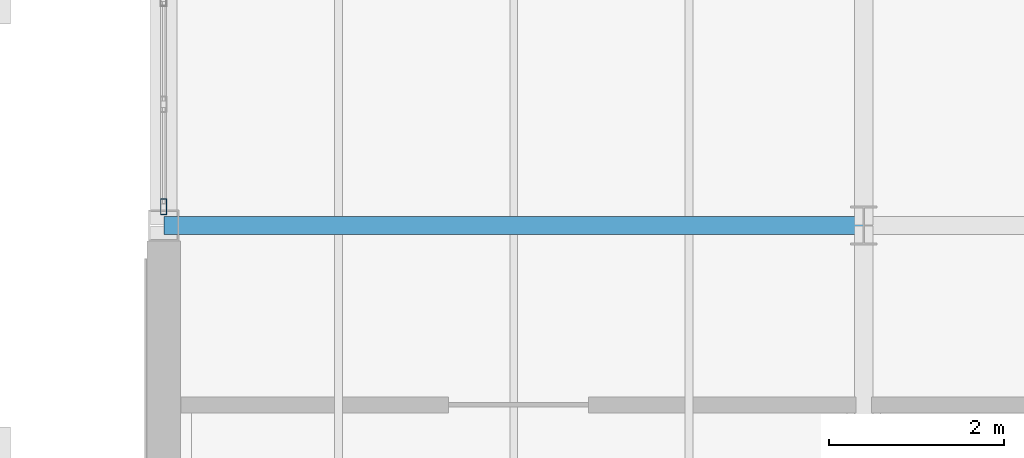
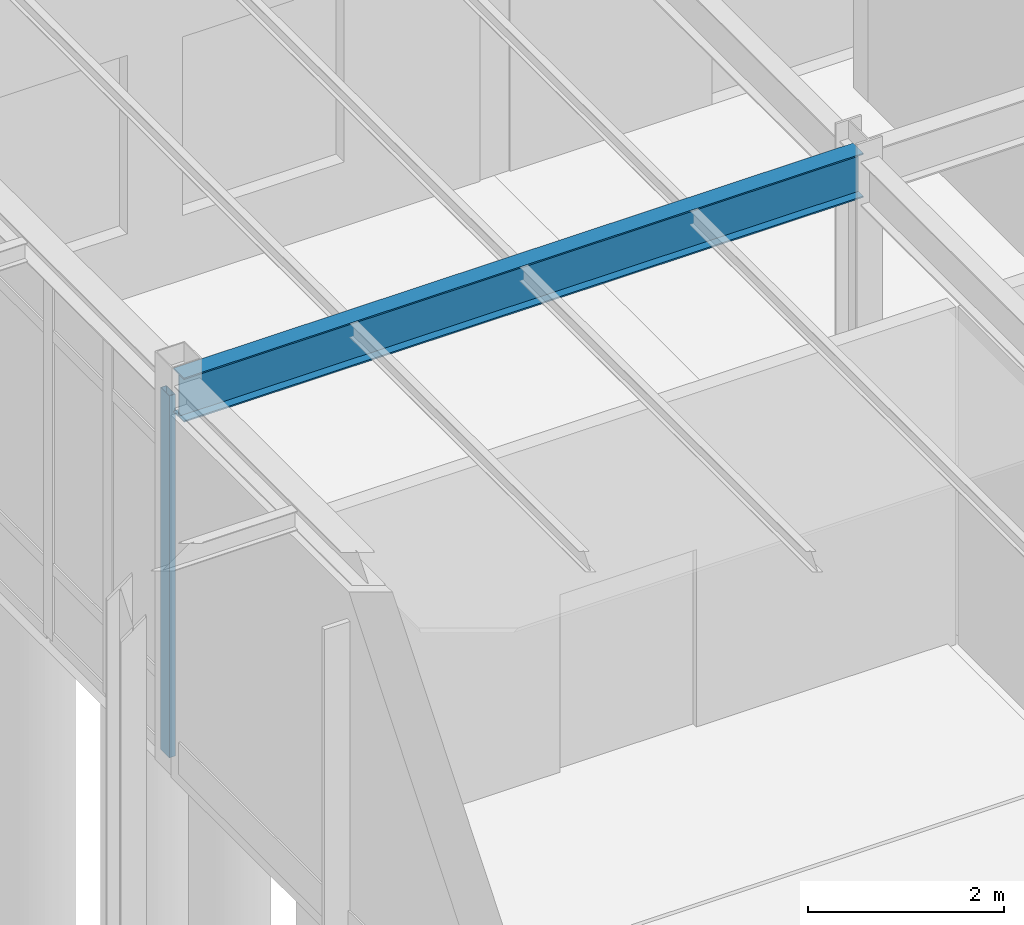
# One storey, part 64 of 109: 1 beam, 1 member, 1 element without a shape of its own.
"""IFC4 building model written with IfcOpenShell, lengths in metres."""

from ifc_helpers import new_model, si_unit, direction, frame, origin, origin_2d, place, context, subcontext, project, spatial, hollow_rectangle, i_section, extrude, material, layer, layer_set, material_profile, profile_set, type_object, element, aggregate, save


model = new_model("IFC4")

# Units and contexts
model_context = context("Model", 3, precision=1e-05, world=origin(), true_north=direction((0.0, 1.0)))
body_context = subcontext(model_context, "Body", "Model", "MODEL_VIEW")
ifc_project = project(units=[si_unit("LENGTHUNIT", "METRE"), si_unit("AREAUNIT", "SQUARE_METRE"), si_unit("VOLUMEUNIT", "CUBIC_METRE"), si_unit("PLANEANGLEUNIT", "RADIAN"), si_unit("MASSUNIT", "GRAM", prefix="KILO")], contexts=[model_context])

# Site, building, storey
site_placement = place(None, origin())
site = spatial("IfcSite", under=ifc_project, at=site_placement, CompositionType="ELEMENT")
building_placement = place(site_placement, origin())
building = spatial("IfcBuilding", under=site, at=building_placement, Name="Montecoro Central Library", CompositionType="ELEMENT")
storey_placement = place(building_placement, origin())
storey = spatial("IfcBuildingStorey", under=building, at=storey_placement, Name="L00", CompositionType="ELEMENT", Elevation=0.0)

# Beam
ifc_material_1 = material(Name="Steel S355J2", Category="steel")
ifc_material_profile_1 = material_profile(ifc_material_1, i_section(OverallWidth=0.2099609375, OverallDepth=0.550048828125, WebThickness=0.010986328125, FlangeThickness=0.01708984375, at=origin_2d()), Name="IPE 550")
ifc_profile_set_1 = profile_set([ifc_material_profile_1], Name="Steel S355J2")
beam_type = type_object("IfcBeamType", Name="BM-G-IPE550", PredefinedType="USERDEFINED", material=ifc_profile_set_1)
beam_placement = place(storey_placement, frame((141.0048828125, 35.39990234375, 4.570068359375), z_axis=(1.0, 0.0, 0.0), x_axis=(0.0, 1.0, 0.0)))
element("IfcBeam", 1, at=beam_placement, inside=storey, type_object=beam_type, Name="V6-L00-BX-1819-E", ObjectType="GIRDER", PredefinedType="USERDEFINED", context=body_context, shape_type="SweptSolid", body=[
    extrude(i_section(OverallWidth=0.2099609375, OverallDepth=0.550048828125, WebThickness=0.010986328125, FlangeThickness=0.01708984375, at=origin_2d()), origin(), (0.0, 0.0, 1.0), 7.990234375),
])

# Curtain wall, member
ifc_material_2 = material(Name="Bronze-anodised aluminium and low-E glazing", Category="aluminium")
ifc_layer = layer(ifc_material_2, 0.159912109375)
ifc_layer_set = layer_set([ifc_layer], Name="Bronze-anodised aluminium and low-E glazing")
curtain_wall_type = type_object("IfcCurtainWallType", Name="CWT-059", PredefinedType="NOTDEFINED", material=ifc_layer_set)
curtain_wall_placement = place(storey_placement, origin())
curtain_wall = element("IfcCurtainWall", 2, at=curtain_wall_placement, inside=storey, type_object=curtain_wall_type, Name="V6-L00-CW-W4", PredefinedType="NOTDEFINED")
ifc_material_3 = material(Name="Bronze-anodised aluminium", Category="aluminium")
ifc_material_profile_2 = material_profile(ifc_material_3, hollow_rectangle(XDim=0.070068359375, YDim=0.179931640625, WallThickness=0.0048828125, at=origin_2d()), Name="CWM 180x70x5.0")
ifc_profile_set_2 = profile_set([ifc_material_profile_2], Name="Bronze-anodised aluminium")
member_type = type_object("IfcMemberType", Name="CWM-BRZ-70", PredefinedType="MULLION", material=ifc_profile_set_2)
member_placement = place(storey_placement, frame((141.0, 35.613037109375, 0.0), z_axis=(0.0, 0.0, 1.0), x_axis=(1.0, 0.0, 0.0)))
member = element("IfcMember", 3, at=member_placement, type_object=member_type, Name="CW-059 mullion 7", PredefinedType="MULLION", context=body_context, shape_type="SweptSolid", body=[
    extrude(hollow_rectangle(XDim=0.070068359375, YDim=0.179931640625, WallThickness=0.0048828125, at=origin_2d()), origin(), (0.0, 0.0, 1.0), 4.5),
])
aggregate(curtain_wall, [member])

save(model, "model.ifc")
